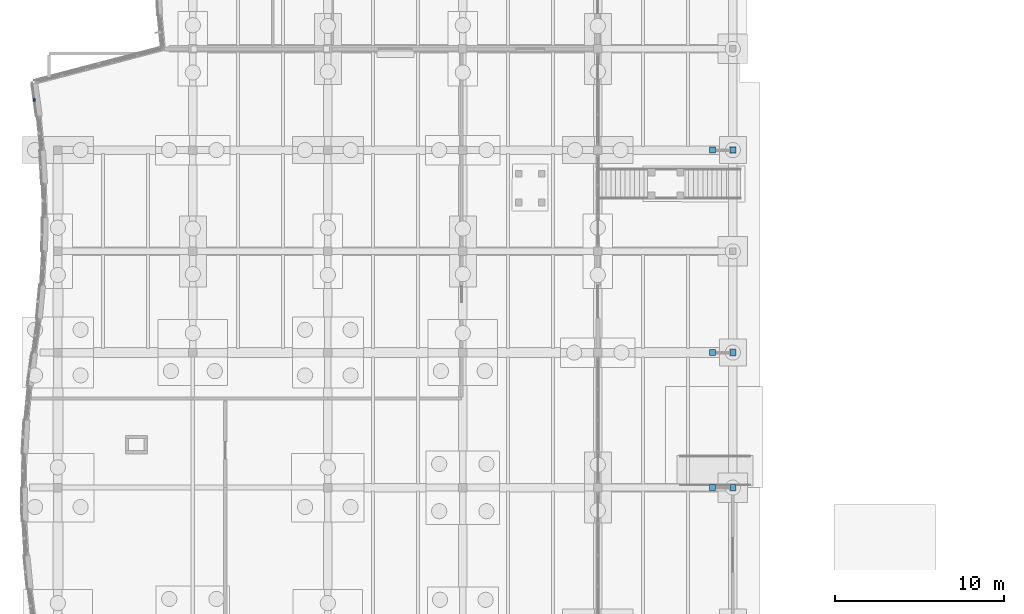
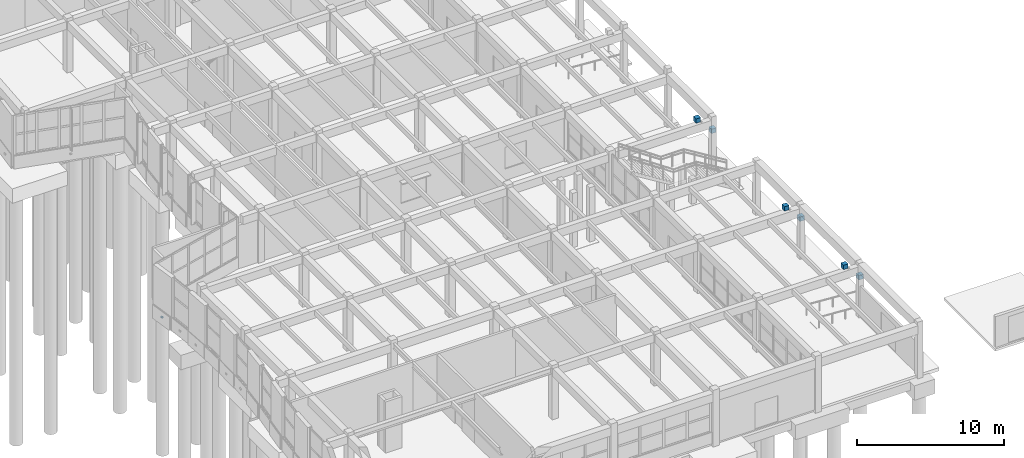
# One storey, part 75 of 99: 7 discrete accessories.
"""IFC4 building model written with IfcOpenShell, lengths in metres."""

from ifc_helpers import new_model, si_unit, direction, frame, origin, origin_2d, place, context, subcontext, project, spatial, rectangle, extrude, material, type_object, element, save


model = new_model("IFC4")

# Units and contexts
model_context = context("Model", 3, precision=1e-05, world=origin(), true_north=direction((0.0, 1.0)))
body_context = subcontext(model_context, "Body", "Model", "MODEL_VIEW")
ifc_project = project(units=[si_unit("LENGTHUNIT", "METRE"), si_unit("AREAUNIT", "SQUARE_METRE"), si_unit("VOLUMEUNIT", "CUBIC_METRE"), si_unit("PLANEANGLEUNIT", "RADIAN"), si_unit("MASSUNIT", "GRAM", prefix="KILO")], contexts=[model_context])

# Site, building, storey
site_placement = place(None, origin())
site = spatial("IfcSite", under=ifc_project, at=site_placement, CompositionType="ELEMENT")
building_placement = place(site_placement, origin())
building = spatial("IfcBuilding", under=site, at=building_placement, Name="Tonlespit Floodbar School", CompositionType="ELEMENT")
storey_placement = place(building_placement, origin())
storey = spatial("IfcBuildingStorey", under=building, at=storey_placement, Name="L00", CompositionType="ELEMENT", Elevation=0.0)

# Discrete accessories
ifc_material_1 = material(Name="Galvanised Steel", Category="steel")
discrete_accessory_type_1 = type_object("IfcDiscreteAccessoryType", Name="Bracket_Facade_S355", PredefinedType="BRACKET", material=ifc_material_1)
discrete_accessory_placement = place(storey_placement, frame((2.59765625, 34.974365234375, 0.3798828125), z_axis=(0.0, 0.0, 1.0), x_axis=(-0.134662424626, 0.990891533617, 0.0)))
element("IfcDiscreteAccessory", 1, at=discrete_accessory_placement, inside=storey, type_object=discrete_accessory_type_1, Name="L00 white band support bracket 0761", PredefinedType="BRACKET", context=body_context, shape_type="SweptSolid", body=[
    extrude(rectangle(XDim=0.159912109375, YDim=0.1201171875, at=origin_2d()), origin(), (0.0, 0.0, 1.0), 0.1201171875),
])
ifc_material_2 = material(Name="Steel S355", Category="steel")
discrete_accessory_type_2 = type_object("IfcDiscreteAccessoryType", Name="GussetShoe_Brace_S355", PredefinedType="SHOE", material=ifc_material_2)
for number, where, z_axis, x_axis, name in (
    (2, (44.0, 12.0, 3.1201171875), (0.0, 0.0, 1.0), (1.0, 0.0, 0.0), "L00 brace and chord end gusset shoe 0047"),
    (3, (42.800048828125, 12.0, 4.39990234375), (0.0, 0.0, 1.0), (1.0, 0.0, 0.0), "L00 brace and chord end gusset shoe 0048"),
    (4, (44.0, 20.0, 3.1201171875), (0.0, 0.0, 1.0), (1.0, 0.0, 0.0), "L00 brace and chord end gusset shoe 0049"),
    (5, (42.800048828125, 20.0, 4.39990234375), (0.0, 0.0, 1.0), (1.0, 0.0, 0.0), "L00 brace and chord end gusset shoe 0050"),
    (6, (44.0, 32.0, 3.1201171875), (0.0, 0.0, 1.0), (1.0, 0.0, 0.0), "L00 brace and chord end gusset shoe 0051"),
    (7, (42.800048828125, 32.0, 4.39990234375), (0.0, 0.0, 1.0), (1.0, 0.0, 0.0), "L00 brace and chord end gusset shoe 0052"),
):
    element("IfcDiscreteAccessory", number, at=place(storey_placement, frame(where, z_axis=z_axis, x_axis=x_axis)), inside=storey, type_object=discrete_accessory_type_2, Name=name, PredefinedType="SHOE", context=body_context, shape_type="SweptSolid", body=[
        extrude(rectangle(XDim=0.360107421875, YDim=0.360107421875, at=origin_2d()), origin(), (0.0, 0.0, 1.0), 0.360107421875),
    ])

save(model, "model.ifc")
